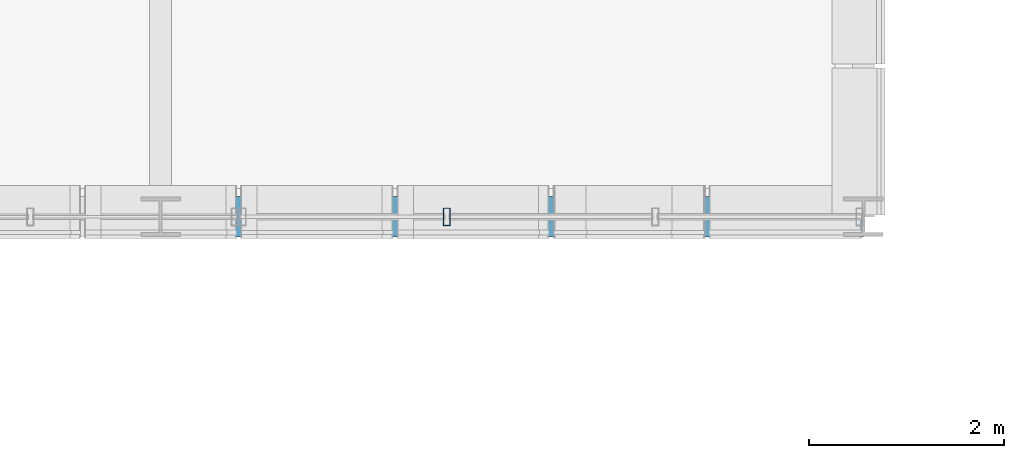
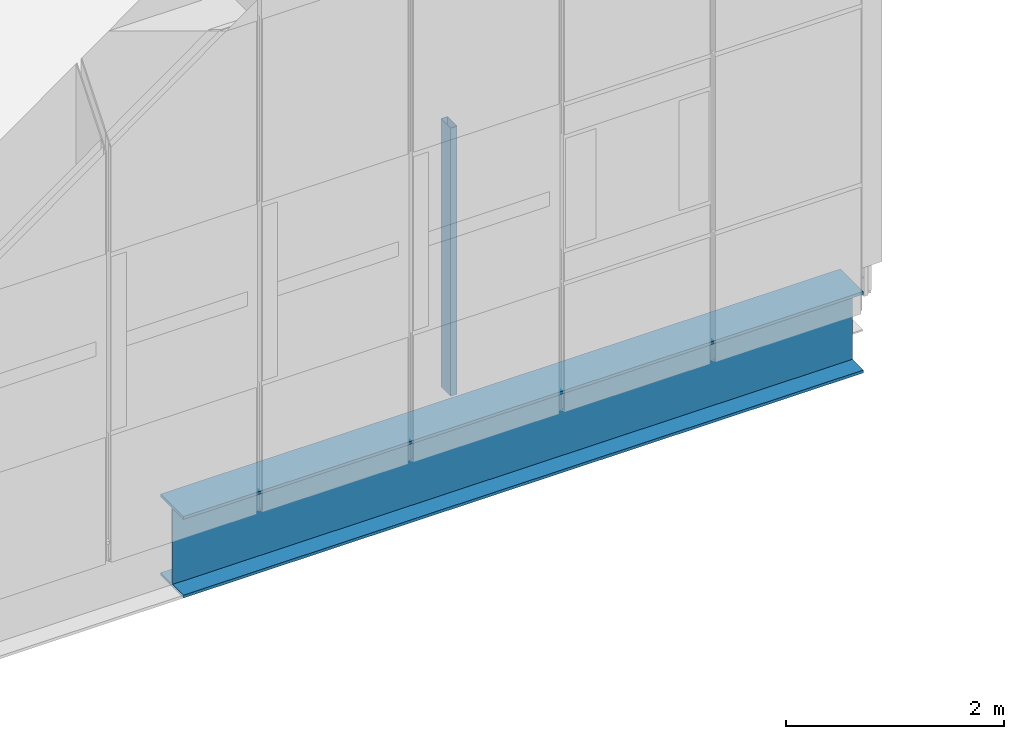
# One storey, part 11 of 144: 1 beam, 1 member, 1 element without a shape of its own.
"""IFC4 building model written with IfcOpenShell, lengths in metres."""

from ifc_helpers import new_model, si_unit, direction, frame, origin, origin_2d, place, context, subcontext, project, spatial, hollow_rectangle, i_section, extrude, material, material_profile, profile_set, type_object, element, aggregate, save


model = new_model("IFC4")

# Units and contexts
model_context = context("Model", 3, precision=1e-05, world=origin(), true_north=direction((0.0, 1.0)))
body_context = subcontext(model_context, "Body", "Model", "MODEL_VIEW")
ifc_project = project(units=[si_unit("LENGTHUNIT", "METRE"), si_unit("AREAUNIT", "SQUARE_METRE"), si_unit("VOLUMEUNIT", "CUBIC_METRE"), si_unit("PLANEANGLEUNIT", "RADIAN"), si_unit("MASSUNIT", "GRAM", prefix="KILO")], contexts=[model_context])

# Site, building, storey
site_placement = place(None, origin())
site = spatial("IfcSite", under=ifc_project, at=site_placement, CompositionType="ELEMENT")
building_placement = place(site_placement, origin())
building = spatial("IfcBuilding", under=site, at=building_placement, Name="Yarey Park Central Fire Station", CompositionType="ELEMENT")
storey_placement = place(building_placement, frame((0.0, 0.0, 10.199951171875)))
storey = spatial("IfcBuildingStorey", under=building, at=storey_placement, Name="L03", CompositionType="ELEMENT", Elevation=10.199951171875)

# Curtain wall, member
ifc_material_1 = material(Name="Anodized Aluminium Frame", Category="aluminium")
curtain_wall_type = type_object("IfcCurtainWallType", Name="ENV_CW_V3_OVR1", PredefinedType="NOTDEFINED", material=ifc_material_1)
curtain_wall_placement = place(storey_placement, origin())
curtain_wall = element("IfcCurtainWall", 1, at=curtain_wall_placement, inside=storey, type_object=curtain_wall_type, Name="CW_L03_DRUM_S_049", PredefinedType="NOTDEFINED")
ifc_material_profile_1 = material_profile(ifc_material_1, hollow_rectangle(XDim=0.070068359375, YDim=0.179931640625, WallThickness=0.00390625, at=origin_2d()), Name="ALU 180x70x4")
ifc_profile_set_1 = profile_set([ifc_material_profile_1], Name="Anodized Aluminium Frame")
member_type = type_object("IfcMemberType", Name="ENV_CW_MULLION", PredefinedType="MULLION", material=ifc_profile_set_1)
member_placement = place(storey_placement, frame((24.533203125, 21.60009765625, 0.0), z_axis=(0.0, 0.0, 1.0), x_axis=(1.0, 0.0, 0.0)))
member = element("IfcMember", 2, at=member_placement, type_object=member_type, Name="CW_L03_DRUM_S_049_MUL2", PredefinedType="MULLION", context=body_context, shape_type="SweptSolid", body=[
    extrude(hollow_rectangle(XDim=0.070068359375, YDim=0.179931640625, WallThickness=0.00390625, at=origin_2d()), origin(), (0.0, 0.0, 1.0), 3.0),
])
aggregate(curtain_wall, [member])

# Beam
ifc_material_2 = material(Name="Steel ASTM A992 Gr. 50", Category="steel")
ifc_material_profile_2 = material_profile(ifc_material_2, i_section(OverallWidth=0.41796875, OverallDepth=0.912109375, WebThickness=0.019287109375, FlangeThickness=0.031982421875, at=origin_2d()), Name="W920x342")
ifc_profile_set_2 = profile_set([ifc_material_profile_2], Name="Steel ASTM A992 Gr. 50")
beam_type = type_object("IfcBeamType", Name="STR_BM_W920", PredefinedType="BEAM", material=ifc_profile_set_2)
beam_placement = place(storey_placement, frame((21.60009765625, 21.60009765625, -0.716064453125), z_axis=(1.0, 0.0, 0.0), x_axis=(0.0, 1.0, 0.0)))
element("IfcBeam", 3, at=beam_placement, inside=storey, type_object=beam_type, Name="DRUM GIRD2 L03 Y216", PredefinedType="BEAM", context=body_context, shape_type="SweptSolid", body=[
    extrude(i_section(OverallWidth=0.41796875, OverallDepth=0.912109375, WebThickness=0.019287109375, FlangeThickness=0.031982421875, at=origin_2d()), origin(), (0.0, 0.0, 1.0), 7.199951171875),
])

save(model, "model.ifc")
